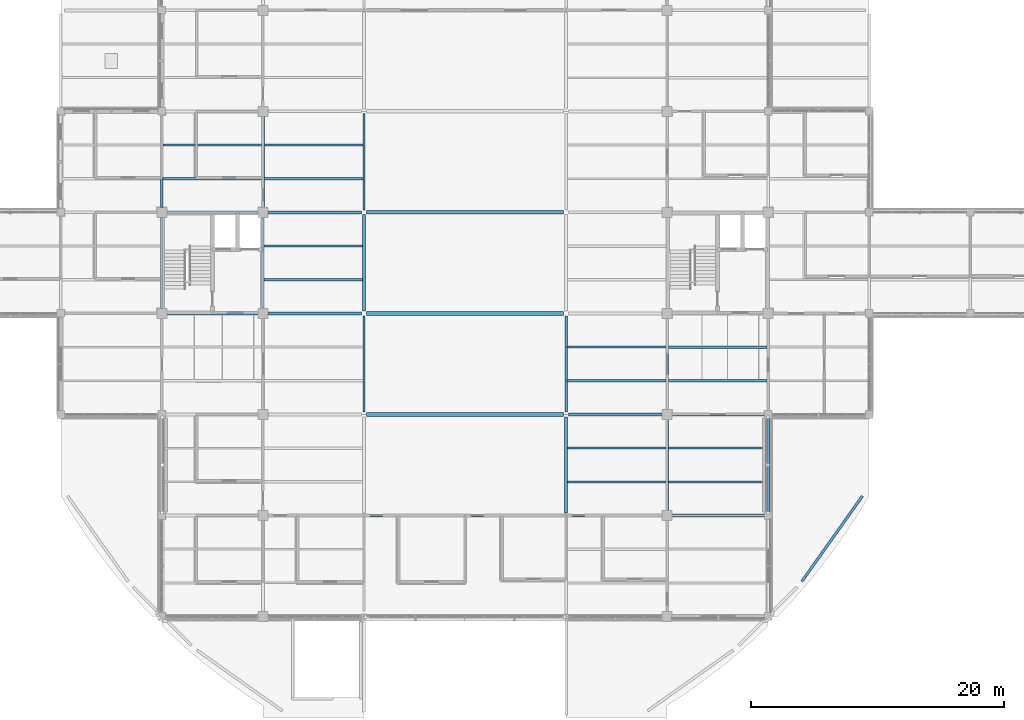
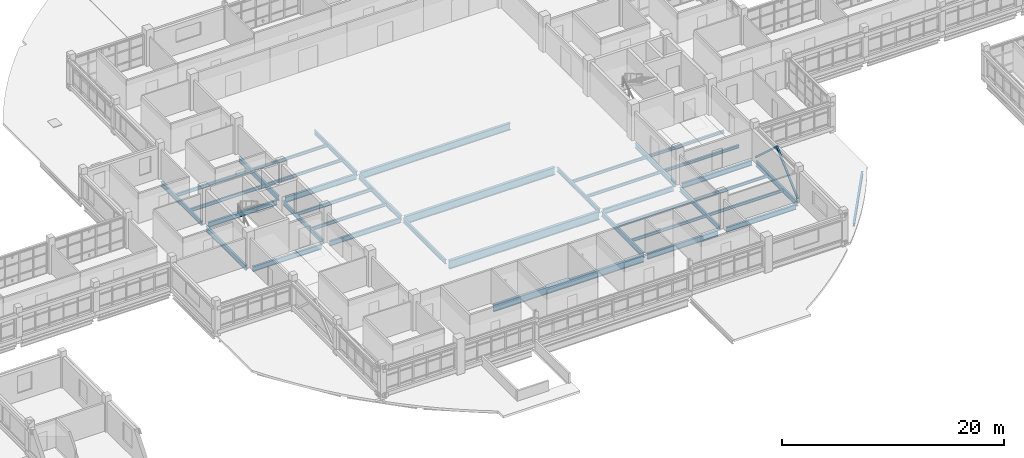
# One storey, part 27 of 126: 39 beams, 2 members.
"""IFC4 building model written with IfcOpenShell, lengths in metres."""

from ifc_helpers import new_model, si_unit, derived_unit, direction, frame, origin, origin_2d, place, context, subcontext, project, spatial, hollow_rectangle, i_section, extrude, material, material_profile, profile_set, type_object, element, save


model = new_model("IFC4")

# Units and contexts
model_context = context("Model", 3, precision=1e-05, world=origin(), true_north=direction((0.0, 1.0)))
body_context = subcontext(model_context, "Body", "Model", "MODEL_VIEW")
ifc_project = project(units=[si_unit("LENGTHUNIT", "METRE"), si_unit("AREAUNIT", "SQUARE_METRE"), si_unit("VOLUMEUNIT", "CUBIC_METRE"), si_unit("PLANEANGLEUNIT", "RADIAN"), si_unit("MASSUNIT", "GRAM", prefix="KILO"), derived_unit("THERMALTRANSMITTANCEUNIT", [(si_unit("MASSUNIT", "GRAM", prefix="KILO"), 1), (si_unit("TIMEUNIT", "SECOND"), -3), (si_unit("THERMODYNAMICTEMPERATUREUNIT", "KELVIN"), -1)])], contexts=[model_context])

# Site, building, storey
site_placement = place(None, origin())
site = spatial("IfcSite", under=ifc_project, at=site_placement, CompositionType="ELEMENT")
building_placement = place(site_placement, origin())
building = spatial("IfcBuilding", under=site, at=building_placement, Name="Veyamyaing Civic Hall", CompositionType="ELEMENT")
storey_placement = place(building_placement, frame((0.0, 0.0, 9.89990234375)))
storey = spatial("IfcBuildingStorey", under=building, at=storey_placement, Name="L02", CompositionType="ELEMENT", Elevation=9.89990234375)

# Beams
ifc_material_1 = material(Name="Steel ASTM A992", Category="steel")
ifc_material_profile_1 = material_profile(ifc_material_1, i_section(OverallWidth=0.303955078125, OverallDepth=0.923095703125, WebThickness=0.018310546875, FlangeThickness=0.030029296875, FilletRadius=0.01806640625, at=origin_2d()), Name="W920X271")
ifc_profile_set_1 = profile_set([ifc_material_profile_1], Name="Steel ASTM A992")
beam_type_1 = type_object("IfcBeamType", Name="B-01", PredefinedType="BEAM", material=ifc_profile_set_1)
beam_1_placement = place(storey_placement, frame((80.18701171875, 40.0, -0.746337890625), z_axis=(1.0, 0.0, 0.0), x_axis=(0.0, 1.0, 0.0)))
element("IfcBeam", 1, at=beam_1_placement, inside=storey, type_object=beam_type_1, Name="Girder B-01 L02 Grid F 11-13", PredefinedType="BEAM", context=body_context, shape_type="SweptSolid", body=[
    extrude(i_section(OverallWidth=0.303955078125, OverallDepth=0.923095703125, WebThickness=0.018310546875, FlangeThickness=0.030029296875, FilletRadius=0.01806640625, at=origin_2d()), origin(), (0.0, 0.0, 1.0), 15.6259765625),
])
ifc_material_profile_2 = material_profile(ifc_material_1, i_section(OverallWidth=0.2939453125, OverallDepth=0.85107421875, WebThickness=0.01611328125, FlangeThickness=0.02685546875, FilletRadius=0.01611328125, at=origin_2d()), Name="W840X226")
ifc_profile_set_2 = profile_set([ifc_material_profile_2], Name="Steel ASTM A992")
beam_type_2 = type_object("IfcBeamType", Name="B-02", PredefinedType="BEAM", material=ifc_profile_set_2)
beam_2_placement = place(storey_placement, frame((80.18701171875, 48.0, -0.71044921875), z_axis=(1.0, 0.0, 0.0), x_axis=(0.0, 1.0, 0.0)))
element("IfcBeam", 2, at=beam_2_placement, inside=storey, type_object=beam_type_2, Name="Girder B-02 L02 Grid G 11-13", PredefinedType="BEAM", context=body_context, shape_type="SweptSolid", body=[
    extrude(i_section(OverallWidth=0.2939453125, OverallDepth=0.85107421875, WebThickness=0.01611328125, FlangeThickness=0.02685546875, FilletRadius=0.01611328125, at=origin_2d()), origin(), (0.0, 0.0, 1.0), 15.6259765625),
])
ifc_material_profile_3 = material_profile(ifc_material_1, i_section(OverallWidth=0.26806640625, OverallDepth=0.77001953125, WebThickness=0.015625, FlangeThickness=0.025390625, FilletRadius=0.01611328125, at=origin_2d()), Name="W760X196")
ifc_profile_set_3 = profile_set([ifc_material_profile_3], Name="Steel ASTM A992")
beam_type_3 = type_object("IfcBeamType", Name="B-03", PredefinedType="BEAM", material=ifc_profile_set_3)
beam_3_placement = place(storey_placement, frame((80.18701171875, 56.0, -0.669921875), z_axis=(1.0, 0.0, 0.0), x_axis=(0.0, 1.0, 0.0)))
element("IfcBeam", 3, at=beam_3_placement, inside=storey, type_object=beam_type_3, Name="Girder B-03 L02 Grid H 11-13", PredefinedType="BEAM", context=body_context, shape_type="SweptSolid", body=[
    extrude(i_section(OverallWidth=0.26806640625, OverallDepth=0.77001953125, WebThickness=0.015625, FlangeThickness=0.025390625, FilletRadius=0.01611328125, at=origin_2d()), origin(), (0.0, 0.0, 1.0), 15.6259765625),
])
ifc_material_profile_4 = material_profile(ifc_material_1, i_section(OverallWidth=0.22802734375, OverallDepth=0.60791015625, WebThickness=0.01123046875, FlangeThickness=0.017333984375, FilletRadius=0.012939453125, at=origin_2d()), Name="W610X113")
ifc_profile_set_4 = profile_set([ifc_material_profile_4], Name="Steel ASTM A992")
beam_type_4 = type_object("IfcBeamType", Name="B-06", PredefinedType="BEAM", material=ifc_profile_set_4)
for number, where, z_axis, x_axis, name in (
    (4, (96.18701171875, 32.0, -0.5888671875), (1.0, 0.0, 0.0), (0.0, 1.0, 0.0), "Girder B-06 L02 Grid E 13-14"),
    (5, (72.425048828125, 56.0, -0.5888671875), (1.0, 0.0, 0.0), (0.0, 1.0, 0.0), "Girder B-06 L02 Grid H 10-11"),
):
    element("IfcBeam", number, at=place(storey_placement, frame(where, z_axis=z_axis, x_axis=x_axis)), inside=storey, type_object=beam_type_4, Name=name, PredefinedType="BEAM", context=body_context, shape_type="SweptSolid", body=[
        extrude(i_section(OverallWidth=0.22802734375, OverallDepth=0.60791015625, WebThickness=0.01123046875, FlangeThickness=0.017333984375, FilletRadius=0.012939453125, at=origin_2d()), origin(), (0.0, 0.0, 1.0), 7.387939453125),
    ])
ifc_material_profile_5 = material_profile(ifc_material_1, i_section(OverallWidth=0.208984375, OverallDepth=0.532958984375, WebThickness=0.01025390625, FlangeThickness=0.015625, FilletRadius=0.011962890625, at=origin_2d()), Name="W530X92")
ifc_profile_set_5 = profile_set([ifc_material_profile_5], Name="Steel ASTM A992")
beam_type_5 = type_object("IfcBeamType", Name="B-07", PredefinedType="BEAM", material=ifc_profile_set_5)
beam_4_placement = place(storey_placement, frame((104.425048828125, 32.0, -0.551513671875), z_axis=(1.0, 0.0, 0.0), x_axis=(0.0, 1.0, 0.0)))
element("IfcBeam", 6, at=beam_4_placement, inside=storey, type_object=beam_type_5, Name="Girder B-07 L02 Grid E 14-15", PredefinedType="BEAM", context=body_context, shape_type="SweptSolid", body=[
    extrude(i_section(OverallWidth=0.208984375, OverallDepth=0.532958984375, WebThickness=0.01025390625, FlangeThickness=0.015625, FilletRadius=0.011962890625, at=origin_2d()), origin(), (0.0, 0.0, 1.0), 7.27490234375),
])
beam_5_placement = place(storey_placement, frame((96.18701171875, 40.0, -0.551513671875), z_axis=(1.0, 0.0, 0.0), x_axis=(0.0, 1.0, 0.0)))
element("IfcBeam", 7, at=beam_5_placement, inside=storey, type_object=beam_type_5, Name="Girder B-07 L02 Grid F 13-14", PredefinedType="BEAM", context=body_context, shape_type="SweptSolid", body=[
    extrude(i_section(OverallWidth=0.208984375, OverallDepth=0.532958984375, WebThickness=0.01025390625, FlangeThickness=0.015625, FilletRadius=0.011962890625, at=origin_2d()), origin(), (0.0, 0.0, 1.0), 7.387939453125),
])
beam_6_placement = place(storey_placement, frame((72.0, 56.425048828125, -0.551513671875), z_axis=(0.0, 1.0, 0.0), x_axis=(-1.0, 0.0, 0.0)))
element("IfcBeam", 8, at=beam_6_placement, inside=storey, type_object=beam_type_5, Name="Girder B-07 L02 Grid 10 H-J", PredefinedType="BEAM", context=body_context, shape_type="SweptSolid", body=[
    extrude(i_section(OverallWidth=0.208984375, OverallDepth=0.532958984375, WebThickness=0.01025390625, FlangeThickness=0.015625, FilletRadius=0.011962890625, at=origin_2d()), origin(), (0.0, 0.0, 1.0), 7.14990234375),
])
for number, where, z_axis, x_axis, name in (
    (9, (80.0, 48.18603515625, -0.551513671875), (0.0, 1.0, 0.0), (-1.0, 0.0, 0.0), "Girder B-07 L02 Grid 11 G-H"),
    (10, (96.0, 32.18603515625, -0.551513671875), (0.0, 1.0, 0.0), (-1.0, 0.0, 0.0), "Girder B-07 L02 Grid 13 E-F"),
):
    element("IfcBeam", number, at=place(storey_placement, frame(where, z_axis=z_axis, x_axis=x_axis)), inside=storey, type_object=beam_type_5, Name=name, PredefinedType="BEAM", context=body_context, shape_type="SweptSolid", body=[
        extrude(i_section(OverallWidth=0.208984375, OverallDepth=0.532958984375, WebThickness=0.01025390625, FlangeThickness=0.015625, FilletRadius=0.011962890625, at=origin_2d()), origin(), (0.0, 0.0, 1.0), 7.6279296875),
    ])
ifc_material_profile_6 = material_profile(ifc_material_1, i_section(OverallWidth=0.19189453125, OverallDepth=0.462890625, WebThickness=0.010498046875, FlangeThickness=0.017578125, FilletRadius=0.010009765625, at=origin_2d()), Name="W460X89")
ifc_profile_set_6 = profile_set([ifc_material_profile_6], Name="Steel ASTM A992")
beam_type_6 = type_object("IfcBeamType", Name="B-08", PredefinedType="BEAM", material=ifc_profile_set_6)
for number, where, z_axis, x_axis, name in (
    (11, (80.0, 56.18603515625, -0.516357421875), (0.0, 1.0, 0.0), (-1.0, 0.0, 0.0), "Girder B-08 L02 Grid 11 H-J"),
    (12, (96.0, 40.18603515625, -0.516357421875), (0.0, 1.0, 0.0), (-1.0, 0.0, 0.0), "Girder B-08 L02 Grid 13 F-G"),
):
    element("IfcBeam", number, at=place(storey_placement, frame(where, z_axis=z_axis, x_axis=x_axis)), inside=storey, type_object=beam_type_6, Name=name, PredefinedType="BEAM", context=body_context, shape_type="SweptSolid", body=[
        extrude(i_section(OverallWidth=0.19189453125, OverallDepth=0.462890625, WebThickness=0.010498046875, FlangeThickness=0.017578125, FilletRadius=0.010009765625, at=origin_2d()), origin(), (0.0, 0.0, 1.0), 7.6279296875),
    ])
beam_7_placement = place(storey_placement, frame((104.0, 32.425048828125, -0.516357421875), z_axis=(0.0, 1.0, 0.0), x_axis=(-1.0, 0.0, 0.0)))
element("IfcBeam", 13, at=beam_7_placement, inside=storey, type_object=beam_type_6, Name="Girder B-08 L02 Grid 14 E-F", PredefinedType="BEAM", context=body_context, shape_type="SweptSolid", body=[
    extrude(i_section(OverallWidth=0.19189453125, OverallDepth=0.462890625, WebThickness=0.010498046875, FlangeThickness=0.017578125, FilletRadius=0.010009765625, at=origin_2d()), origin(), (0.0, 0.0, 1.0), 7.14990234375),
])
ifc_material_profile_7 = material_profile(ifc_material_1, i_section(OverallWidth=0.2041015625, OverallDepth=0.35009765625, WebThickness=0.0078125, FlangeThickness=0.01513671875, FilletRadius=0.010009765625, at=origin_2d()), Name="W360X72")
ifc_profile_set_7 = profile_set([ifc_material_profile_7], Name="Steel ASTM A992")
beam_type_7 = type_object("IfcBeamType", Name="B-11", PredefinedType="SPANDREL", material=ifc_profile_set_7)
beam_8_placement = place(storey_placement, frame((114.668701171875, 26.778076171875, -0.4599609375), z_axis=(0.578662285773, 0.815567262109, 0.0), x_axis=(-0.815567262109, 0.578662285773, 0.0)))
element("IfcBeam", 14, at=beam_8_placement, inside=storey, type_object=beam_type_7, Name="Curved corner spandrel B-11 L02 SE.3", PredefinedType="SPANDREL", context=body_context, shape_type="SweptSolid", body=[
    extrude(i_section(OverallWidth=0.2041015625, OverallDepth=0.35009765625, WebThickness=0.0078125, FlangeThickness=0.01513671875, FilletRadius=0.010009765625, at=origin_2d()), origin(), (0.0, 0.0, 1.0), 8.284423828125),
])
ifc_material_profile_8 = material_profile(ifc_material_1, i_section(OverallWidth=0.26611328125, OverallDepth=0.758056640625, WebThickness=0.013916015625, FlangeThickness=0.019287109375, FilletRadius=0.01611328125, at=origin_2d()), Name="W760X161")
ifc_profile_set_8 = profile_set([ifc_material_profile_8], Name="Steel ASTM A992")
beam_type_8 = type_object("IfcBeamType", Name="B-13", PredefinedType="BEAM", material=ifc_profile_set_8)
beam_9_placement = place(storey_placement, frame((80.18701171875, 32.0, -0.663818359375), z_axis=(1.0, 0.0, 0.0), x_axis=(0.0, 1.0, 0.0)))
element("IfcBeam", 15, at=beam_9_placement, inside=storey, type_object=beam_type_8, Name="Girder B-13 L02 Grid E 11-13", PredefinedType="BEAM", context=body_context, shape_type="SweptSolid", body=[
    extrude(i_section(OverallWidth=0.26611328125, OverallDepth=0.758056640625, WebThickness=0.013916015625, FlangeThickness=0.019287109375, FilletRadius=0.01611328125, at=origin_2d()), origin(), (0.0, 0.0, 1.0), 15.6259765625),
])
ifc_material_profile_9 = material_profile(ifc_material_1, i_section(OverallWidth=0.214111328125, OverallDepth=0.549072265625, WebThickness=0.0146484375, FlangeThickness=0.023681640625, FilletRadius=0.011962890625, at=origin_2d()), Name="W530X138")
ifc_profile_set_9 = profile_set([ifc_material_profile_9], Name="Steel ASTM A992")
beam_type_9 = type_object("IfcBeamType", Name="B-16", PredefinedType="BEAM", material=ifc_profile_set_9)
beam_10_placement = place(storey_placement, frame((104.425048828125, 40.0, -0.559326171875), z_axis=(1.0, 0.0, 0.0), x_axis=(0.0, 1.0, 0.0)))
element("IfcBeam", 16, at=beam_10_placement, inside=storey, type_object=beam_type_9, Name="Girder B-16 L02 Grid F 14-15", PredefinedType="BEAM", context=body_context, shape_type="SweptSolid", body=[
    extrude(i_section(OverallWidth=0.214111328125, OverallDepth=0.549072265625, WebThickness=0.0146484375, FlangeThickness=0.023681640625, FilletRadius=0.011962890625, at=origin_2d()), origin(), (0.0, 0.0, 1.0), 7.27490234375),
])
beam_11_placement = place(storey_placement, frame((64.39990234375, 48.0, -0.559326171875), z_axis=(1.0, 0.0, 0.0), x_axis=(0.0, 1.0, 0.0)))
element("IfcBeam", 17, at=beam_11_placement, inside=storey, type_object=beam_type_9, Name="Girder B-16 L02 Grid G 9-10", PredefinedType="BEAM", context=body_context, shape_type="SweptSolid", body=[
    extrude(i_section(OverallWidth=0.214111328125, OverallDepth=0.549072265625, WebThickness=0.0146484375, FlangeThickness=0.023681640625, FilletRadius=0.011962890625, at=origin_2d()), origin(), (0.0, 0.0, 1.0), 7.175048828125),
])
ifc_material_profile_10 = material_profile(ifc_material_1, i_section(OverallWidth=0.2109375, OverallDepth=0.5390625, WebThickness=0.01171875, FlangeThickness=0.018798828125, FilletRadius=0.011962890625, at=origin_2d()), Name="W530X109")
ifc_profile_set_10 = profile_set([ifc_material_profile_10], Name="Steel ASTM A992")
beam_type_10 = type_object("IfcBeamType", Name="B-17", PredefinedType="BEAM", material=ifc_profile_set_10)
beam_12_placement = place(storey_placement, frame((72.425048828125, 48.0, -0.554443359375), z_axis=(1.0, 0.0, 0.0), x_axis=(0.0, 1.0, 0.0)))
element("IfcBeam", 18, at=beam_12_placement, inside=storey, type_object=beam_type_10, Name="Girder B-17 L02 Grid G 10-11", PredefinedType="BEAM", context=body_context, shape_type="SweptSolid", body=[
    extrude(i_section(OverallWidth=0.2109375, OverallDepth=0.5390625, WebThickness=0.01171875, FlangeThickness=0.018798828125, FilletRadius=0.011962890625, at=origin_2d()), origin(), (0.0, 0.0, 1.0), 7.387939453125),
])
beam_13_placement = place(storey_placement, frame((64.39990234375, 56.0, -0.554443359375), z_axis=(1.0, 0.0, 0.0), x_axis=(0.0, 1.0, 0.0)))
element("IfcBeam", 19, at=beam_13_placement, inside=storey, type_object=beam_type_10, Name="Girder B-17 L02 Grid H 9-10", PredefinedType="BEAM", context=body_context, shape_type="SweptSolid", body=[
    extrude(i_section(OverallWidth=0.2109375, OverallDepth=0.5390625, WebThickness=0.01171875, FlangeThickness=0.018798828125, FilletRadius=0.011962890625, at=origin_2d()), origin(), (0.0, 0.0, 1.0), 7.175048828125),
])
beam_14_placement = place(storey_placement, frame((64.0, 48.39990234375, -0.554443359375), z_axis=(0.0, 1.0, 0.0), x_axis=(-1.0, 0.0, 0.0)))
element("IfcBeam", 20, at=beam_14_placement, inside=storey, type_object=beam_type_10, Name="Girder B-17 L02 Grid 9 G-H", PredefinedType="BEAM", context=body_context, shape_type="SweptSolid", body=[
    extrude(i_section(OverallWidth=0.2109375, OverallDepth=0.5390625, WebThickness=0.01171875, FlangeThickness=0.018798828125, FilletRadius=0.011962890625, at=origin_2d()), origin(), (0.0, 0.0, 1.0), 7.2001953125),
])
beam_15_placement = place(storey_placement, frame((104.0, 40.425048828125, -0.554443359375), z_axis=(0.0, 1.0, 0.0), x_axis=(-1.0, 0.0, 0.0)))
element("IfcBeam", 21, at=beam_15_placement, inside=storey, type_object=beam_type_10, Name="Girder B-17 L02 Grid 14 F-G", PredefinedType="BEAM", context=body_context, shape_type="SweptSolid", body=[
    extrude(i_section(OverallWidth=0.2109375, OverallDepth=0.5390625, WebThickness=0.01171875, FlangeThickness=0.018798828125, FilletRadius=0.011962890625, at=origin_2d()), origin(), (0.0, 0.0, 1.0), 7.14990234375),
])
beam_16_placement = place(storey_placement, frame((112.0, 32.300048828125, -0.554443359375), z_axis=(0.0, 1.0, 0.0), x_axis=(-1.0, 0.0, 0.0)))
element("IfcBeam", 22, at=beam_16_placement, inside=storey, type_object=beam_type_10, Name="Girder B-17 L02 Grid 15 E-F", PredefinedType="BEAM", context=body_context, shape_type="SweptSolid", body=[
    extrude(i_section(OverallWidth=0.2109375, OverallDepth=0.5390625, WebThickness=0.01171875, FlangeThickness=0.018798828125, FilletRadius=0.011962890625, at=origin_2d()), origin(), (0.0, 0.0, 1.0), 7.39990234375),
])
ifc_material_profile_11 = material_profile(ifc_material_1, i_section(OverallWidth=0.194091796875, OverallDepth=0.468994140625, WebThickness=0.0126953125, FlangeThickness=0.0205078125, FilletRadius=0.010009765625, at=origin_2d()), Name="W460X106")
ifc_profile_set_11 = profile_set([ifc_material_profile_11], Name="Steel ASTM A992")
beam_type_11 = type_object("IfcBeamType", Name="B-18", PredefinedType="BEAM", material=ifc_profile_set_11)
beam_17_placement = place(storey_placement, frame((64.0, 56.39990234375, -0.519287109375), z_axis=(0.0, 1.0, 0.0), x_axis=(-1.0, 0.0, 0.0)))
element("IfcBeam", 23, at=beam_17_placement, inside=storey, type_object=beam_type_11, Name="Girder B-18 L02 Grid 9 H-J", PredefinedType="BEAM", context=body_context, shape_type="SweptSolid", body=[
    extrude(i_section(OverallWidth=0.194091796875, OverallDepth=0.468994140625, WebThickness=0.0126953125, FlangeThickness=0.0205078125, FilletRadius=0.010009765625, at=origin_2d()), origin(), (0.0, 0.0, 1.0), 7.300048828125),
])
beam_18_placement = place(storey_placement, frame((72.0, 48.425048828125, -0.519287109375), z_axis=(0.0, 1.0, 0.0), x_axis=(-1.0, 0.0, 0.0)))
element("IfcBeam", 24, at=beam_18_placement, inside=storey, type_object=beam_type_11, Name="Girder B-18 L02 Grid 10 G-H", PredefinedType="BEAM", context=body_context, shape_type="SweptSolid", body=[
    extrude(i_section(OverallWidth=0.194091796875, OverallDepth=0.468994140625, WebThickness=0.0126953125, FlangeThickness=0.0205078125, FilletRadius=0.010009765625, at=origin_2d()), origin(), (0.0, 0.0, 1.0), 7.14990234375),
])
beam_19_placement = place(storey_placement, frame((80.0, 40.18603515625, -0.519287109375), z_axis=(0.0, 1.0, 0.0), x_axis=(-1.0, 0.0, 0.0)))
element("IfcBeam", 25, at=beam_19_placement, inside=storey, type_object=beam_type_11, Name="Girder B-18 L02 Grid 11 F-G", PredefinedType="BEAM", context=body_context, shape_type="SweptSolid", body=[
    extrude(i_section(OverallWidth=0.194091796875, OverallDepth=0.468994140625, WebThickness=0.0126953125, FlangeThickness=0.0205078125, FilletRadius=0.010009765625, at=origin_2d()), origin(), (0.0, 0.0, 1.0), 7.6279296875),
])

# Members
ifc_material_2 = material(Name="Steel S355J2", Category="steel")
ifc_material_profile_12 = material_profile(ifc_material_2, hollow_rectangle(XDim=0.177978515625, YDim=0.177978515625, WallThickness=0.009521484375, at=origin_2d()), Name="HSS178X178X9.5")
ifc_profile_set_12 = profile_set([ifc_material_profile_12], Name="Steel S355J2")
member_type = type_object("IfcMemberType", Name="BR-04", PredefinedType="BRACE", material=ifc_profile_set_12)
for number, where, z_axis, x_axis, name in (
    (26, (112.0, 32.219970703125, 0.050048828125), (0.0, 0.737646368513, 0.675187259224), (-1.0, 0.0, 0.0), "Seismic chevron brace BR-04 BF-CE L02.L"),
    (27, (112.0, 39.780029296875, 0.050048828125), (0.0, -0.737646368513, 0.675187259224), (1.0, 0.0, 0.0), "Seismic chevron brace BR-04 BF-CE L02.R"),
):
    element("IfcMember", number, at=place(storey_placement, frame(where, z_axis=z_axis, x_axis=x_axis)), inside=storey, type_object=member_type, Name=name, PredefinedType="BRACE", context=body_context, shape_type="SweptSolid", body=[
        extrude(hollow_rectangle(XDim=0.177978515625, YDim=0.177978515625, WallThickness=0.009521484375, at=origin_2d()), origin(), (0.0, 0.0, 1.0), 5.12451171875),
    ])

# Beams
ifc_material_profile_13 = material_profile(ifc_material_1, i_section(OverallWidth=0.1708984375, OverallDepth=0.35205078125, WebThickness=0.0068359375, FlangeThickness=0.009765625, FilletRadius=0.010009765625, at=origin_2d()), Name="W360X44")
ifc_profile_set_13 = profile_set([ifc_material_profile_13], Name="Steel ASTM A992")
beam_type_12 = type_object("IfcBeamType", Name="J-03", PredefinedType="JOIST", material=ifc_profile_set_13)
for number, where, z_axis, x_axis, name in (
    (28, (64.094970703125, 58.666748046875, -0.4609375), (1.0, 0.0, 0.0), (0.0, 1.0, 0.0), "Composite floor joist J-03 L02 9.8.1"),
    (29, (64.094970703125, 61.333251953125, -0.4609375), (1.0, 0.0, 0.0), (0.0, 1.0, 0.0), "Composite floor joist J-03 L02 9.8.2"),
    (30, (72.094970703125, 50.666748046875, -0.4609375), (1.0, 0.0, 0.0), (0.0, 1.0, 0.0), "Composite floor joist J-03 L02 10.7.1"),
    (31, (72.094970703125, 53.333251953125, -0.4609375), (1.0, 0.0, 0.0), (0.0, 1.0, 0.0), "Composite floor joist J-03 L02 10.7.2"),
):
    element("IfcBeam", number, at=place(storey_placement, frame(where, z_axis=z_axis, x_axis=x_axis)), inside=storey, type_object=beam_type_12, Name=name, PredefinedType="JOIST", context=body_context, shape_type="SweptSolid", body=[
        extrude(i_section(OverallWidth=0.1708984375, OverallDepth=0.35205078125, WebThickness=0.0068359375, FlangeThickness=0.009765625, FilletRadius=0.010009765625, at=origin_2d()), origin(), (0.0, 0.0, 1.0), 7.802490234375),
    ])
ifc_material_profile_14 = material_profile(ifc_material_1, i_section(OverallWidth=0.1669921875, OverallDepth=0.318115234375, WebThickness=0.007568359375, FlangeThickness=0.01318359375, FilletRadius=0.010009765625, at=origin_2d()), Name="W310X52")
ifc_profile_set_14 = profile_set([ifc_material_profile_14], Name="Steel ASTM A992")
beam_type_13 = type_object("IfcBeamType", Name="J-04", PredefinedType="JOIST", material=ifc_profile_set_14)
for number, where, z_axis, x_axis, name in (
    (32, (72.1025390625, 58.666748046875, -0.44384765625), (1.0, 0.0, 0.0), (0.0, 1.0, 0.0), "Composite floor joist J-04 L02 10.8.1"),
    (33, (72.1025390625, 61.333251953125, -0.44384765625), (1.0, 0.0, 0.0), (0.0, 1.0, 0.0), "Composite floor joist J-04 L02 10.8.2"),
    (34, (96.1025390625, 34.666748046875, -0.44384765625), (1.0, 0.0, 0.0), (0.0, 1.0, 0.0), "Composite floor joist J-04 L02 13.5.1"),
    (35, (96.1025390625, 37.333251953125, -0.44384765625), (1.0, 0.0, 0.0), (0.0, 1.0, 0.0), "Composite floor joist J-04 L02 13.5.2"),
):
    element("IfcBeam", number, at=place(storey_placement, frame(where, z_axis=z_axis, x_axis=x_axis)), inside=storey, type_object=beam_type_13, Name=name, PredefinedType="JOIST", context=body_context, shape_type="SweptSolid", body=[
        extrude(i_section(OverallWidth=0.1669921875, OverallDepth=0.318115234375, WebThickness=0.007568359375, FlangeThickness=0.01318359375, FilletRadius=0.010009765625, at=origin_2d()), origin(), (0.0, 0.0, 1.0), 7.803466796875),
    ])
ifc_material_profile_15 = material_profile(ifc_material_1, i_section(OverallWidth=0.1650390625, OverallDepth=0.31005859375, WebThickness=0.005859375, FlangeThickness=0.009765625, FilletRadius=0.010009765625, at=origin_2d()), Name="W310X39")
ifc_profile_set_15 = profile_set([ifc_material_profile_15], Name="Steel ASTM A992")
beam_type_14 = type_object("IfcBeamType", Name="J-05", PredefinedType="JOIST", material=ifc_profile_set_15)
for number, where, z_axis, x_axis, name in (
    (36, (96.093994140625, 42.666748046875, -0.43994140625), (1.0, 0.0, 0.0), (0.0, 1.0, 0.0), "Composite floor joist J-05 L02 13.6.1"),
    (37, (96.093994140625, 45.333251953125, -0.43994140625), (1.0, 0.0, 0.0), (0.0, 1.0, 0.0), "Composite floor joist J-05 L02 13.6.2"),
    (38, (104.093994140625, 34.666748046875, -0.43994140625), (1.0, 0.0, 0.0), (0.0, 1.0, 0.0), "Composite floor joist J-05 L02 14.5.1"),
    (39, (104.093994140625, 37.333251953125, -0.43994140625), (1.0, 0.0, 0.0), (0.0, 1.0, 0.0), "Composite floor joist J-05 L02 14.5.2"),
):
    element("IfcBeam", number, at=place(storey_placement, frame(where, z_axis=z_axis, x_axis=x_axis)), inside=storey, type_object=beam_type_14, Name=name, PredefinedType="JOIST", context=body_context, shape_type="SweptSolid", body=[
        extrude(i_section(OverallWidth=0.1650390625, OverallDepth=0.31005859375, WebThickness=0.005859375, FlangeThickness=0.009765625, FilletRadius=0.010009765625, at=origin_2d()), origin(), (0.0, 0.0, 1.0), 7.802490234375),
    ])
ifc_material_profile_16 = material_profile(ifc_material_1, i_section(OverallWidth=0.2041015625, OverallDepth=0.305908203125, WebThickness=0.008544921875, FlangeThickness=0.0146484375, FilletRadius=0.010009765625, at=origin_2d()), Name="W310X67")
ifc_profile_set_16 = profile_set([ifc_material_profile_16], Name="Steel ASTM A992")
beam_type_15 = type_object("IfcBeamType", Name="J-06", PredefinedType="JOIST", material=ifc_profile_set_16)
for number, where, z_axis, x_axis, name in (
    (40, (104.103515625, 42.666748046875, -0.43798828125), (1.0, 0.0, 0.0), (0.0, 1.0, 0.0), "Composite floor joist J-06 L02 14.6.1"),
    (41, (104.103515625, 45.333251953125, -0.43798828125), (1.0, 0.0, 0.0), (0.0, 1.0, 0.0), "Composite floor joist J-06 L02 14.6.2"),
):
    element("IfcBeam", number, at=place(storey_placement, frame(where, z_axis=z_axis, x_axis=x_axis)), inside=storey, type_object=beam_type_15, Name=name, PredefinedType="JOIST", context=body_context, shape_type="SweptSolid", body=[
        extrude(i_section(OverallWidth=0.2041015625, OverallDepth=0.305908203125, WebThickness=0.008544921875, FlangeThickness=0.0146484375, FilletRadius=0.010009765625, at=origin_2d()), origin(), (0.0, 0.0, 1.0), 7.801513671875),
    ])

save(model, "model.ifc")
